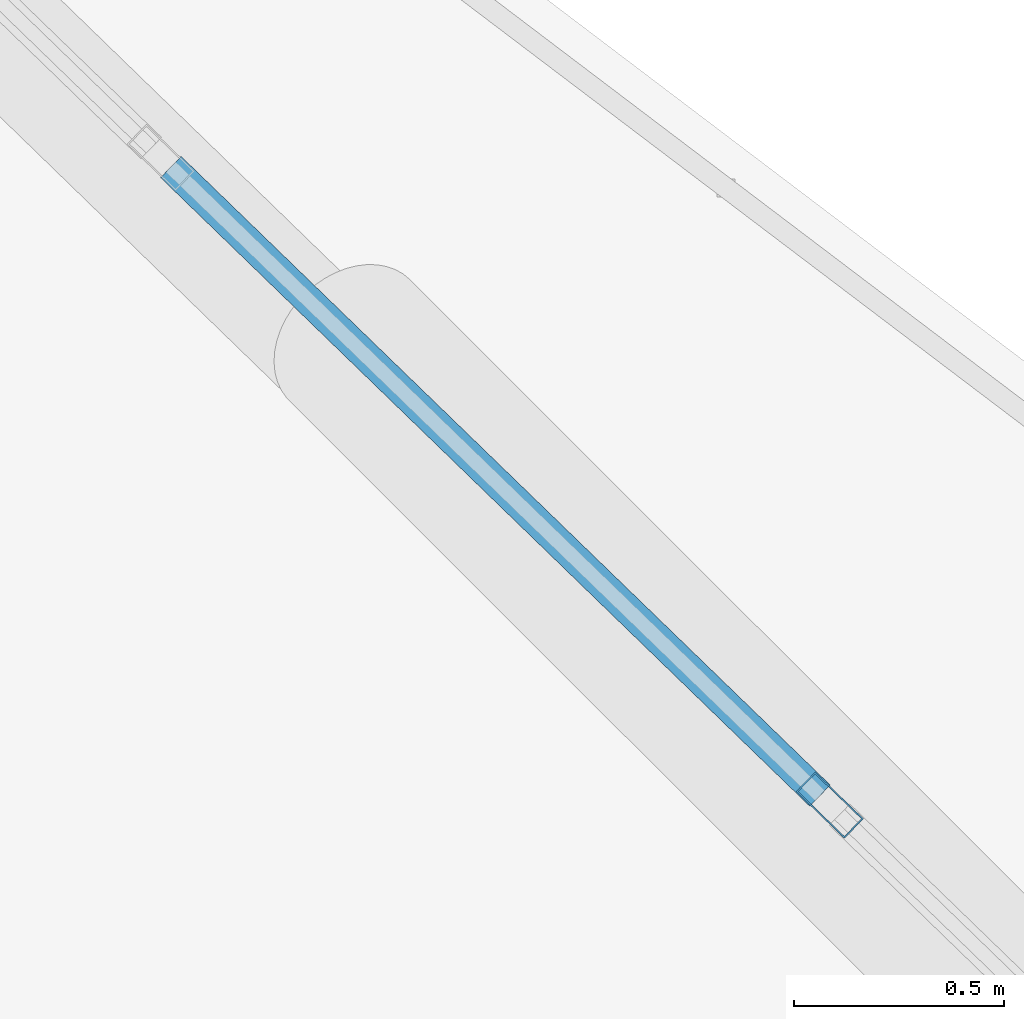
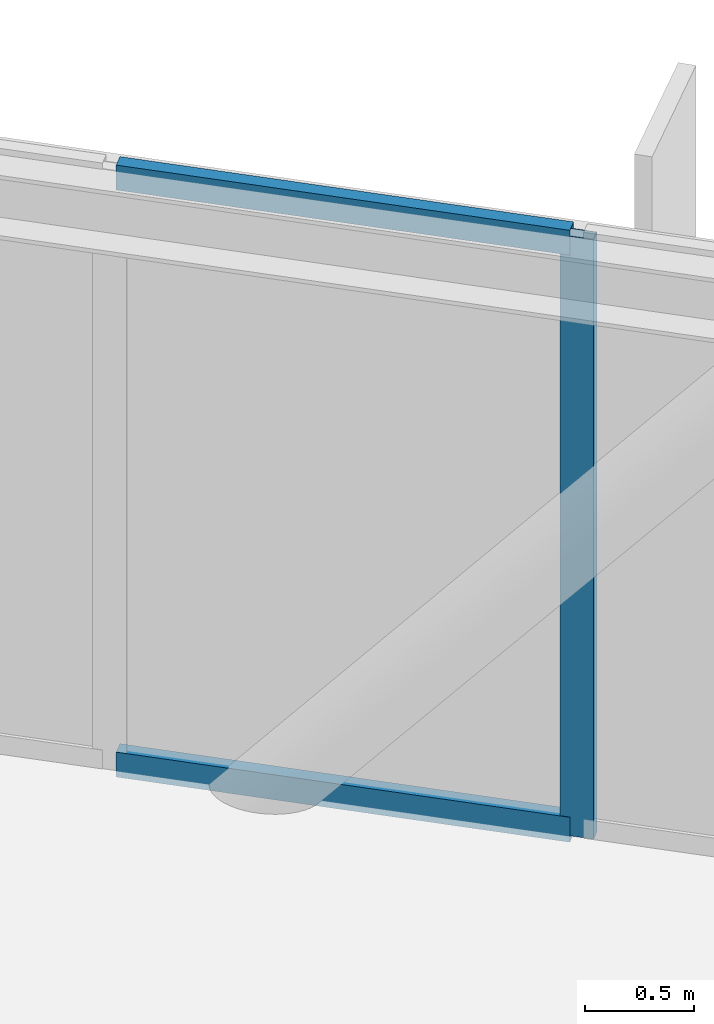
# One storey, part 15 of 27: 3 members, 1 element without a shape of its own.
"""IFC4 building model written with IfcOpenShell, lengths in metres."""

from ifc_helpers import new_model, si_unit, direction, frame, origin, origin_2d, place, context, subcontext, project, spatial, hollow_rectangle, extrude, material, layer, layer_set, material_profile, profile_set, type_object, element, aggregate, save


model = new_model("IFC4")

# Units and contexts
model_context = context("Model", 3, precision=1e-05, world=origin(), true_north=direction((0.0, 1.0)))
body_context = subcontext(model_context, "Body", "Model", "MODEL_VIEW")
ifc_project = project(units=[si_unit("LENGTHUNIT", "METRE"), si_unit("AREAUNIT", "SQUARE_METRE"), si_unit("VOLUMEUNIT", "CUBIC_METRE"), si_unit("PLANEANGLEUNIT", "RADIAN"), si_unit("MASSUNIT", "GRAM", prefix="KILO")], contexts=[model_context])

# Site, building, storey
site_placement = place(None, origin())
site = spatial("IfcSite", under=ifc_project, at=site_placement, CompositionType="ELEMENT")
building_placement = place(site_placement, origin())
building = spatial("IfcBuilding", under=site, at=building_placement, Name="Varnakorn Sky Granary", CompositionType="ELEMENT")
storey_placement = place(building_placement, frame((0.0, 0.0, 229.199951171875)))
storey = spatial("IfcBuildingStorey", under=building, at=storey_placement, Name="L58", CompositionType="ELEMENT", Elevation=229.199951171875)

# Curtain wall, members
ifc_material = material(Name="Anodised Bronze Aluminium Alloy 6063-T6", Category="aluminium")
ifc_layer = layer(ifc_material, 0.169921875, Name="Anodised Bronze Aluminium Alloy 6063-T6")
ifc_layer_set = layer_set([ifc_layer], Name="Anodised Bronze Aluminium Alloy 6063-T6")
curtain_wall_type = type_object("IfcCurtainWallType", Name="CW-LAB-1", PredefinedType="USERDEFINED", material=ifc_layer_set)
curtain_wall_placement = place(storey_placement, origin())
curtain_wall = element("IfcCurtainWall", 1, at=curtain_wall_placement, inside=storey, type_object=curtain_wall_type, Name="Unitised Curtain Wall CW5 CW-L58-B02", ObjectType="CURTAIN WALL", PredefinedType="USERDEFINED")
ifc_material_profile_1 = material_profile(ifc_material, hollow_rectangle(XDim=0.06494140625, YDim=0.159912109375, WallThickness=0.00341796875, at=origin_2d()), Name="ALU MULL 65x160")
ifc_profile_set_1 = profile_set([ifc_material_profile_1], Name="Anodised Bronze Aluminium Alloy 6063-T6")
member_type_1 = type_object("IfcMemberType", Name="CW-LAB-1-MULL", PredefinedType="MULLION", material=ifc_profile_set_1)
member_1_placement = place(storey_placement, frame((17.62158203125, 12.3671875, 0.0), z_axis=(0.0, 0.0, 1.0), x_axis=(0.695640153276, 0.718390407195, 0.0)))
member_1 = element("IfcMember", 2, at=member_1_placement, type_object=member_type_1, Name="CW5 mullion 3", PredefinedType="MULLION", context=body_context, shape_type="SweptSolid", body=[
    extrude(hollow_rectangle(XDim=0.06494140625, YDim=0.159912109375, WallThickness=0.00341796875, at=origin_2d()), origin(), (0.0, 0.0, 1.0), 3.360107421875),
])
ifc_material_profile_2 = material_profile(ifc_material, hollow_rectangle(XDim=0.070068359375, YDim=0.139892578125, WallThickness=0.00341796875, at=origin_2d()), Name="ALU TRAN 70x140")
ifc_profile_set_2 = profile_set([ifc_material_profile_2], Name="Anodised Bronze Aluminium Alloy 6063-T6")
member_type_2 = type_object("IfcMemberType", Name="CW-LAB-1-TRAN", PredefinedType="USERDEFINED", material=ifc_profile_set_2)
member_2_placement = place(storey_placement, frame((16.055908203125, 13.883544921875, 0.03515625), z_axis=(0.718385817719, -0.695644892815, 0.0), x_axis=(0.695644892815, 0.718385817719, 0.0)))
member_2 = element("IfcMember", 3, at=member_2_placement, type_object=member_type_2, Name="CW5 transom 2.1", ObjectType="TRANSOM", PredefinedType="USERDEFINED", context=body_context, shape_type="SweptSolid", body=[
    extrude(hollow_rectangle(XDim=0.070068359375, YDim=0.139892578125, WallThickness=0.00341796875, at=origin_2d()), origin(), (0.0, 0.0, 1.0), 2.147216796875),
])
member_3_placement = place(storey_placement, frame((16.055908203125, 13.883544921875, 3.324951171875), z_axis=(0.718385817719, -0.695644892815, 0.0), x_axis=(0.695644892815, 0.718385817719, 0.0)))
member_3 = element("IfcMember", 4, at=member_3_placement, type_object=member_type_2, Name="CW5 transom 2.2", ObjectType="TRANSOM", PredefinedType="USERDEFINED", context=body_context, shape_type="SweptSolid", body=[
    extrude(hollow_rectangle(XDim=0.070068359375, YDim=0.139892578125, WallThickness=0.00341796875, at=origin_2d()), origin(), (0.0, 0.0, 1.0), 2.147216796875),
])
aggregate(curtain_wall, [member_1, member_2, member_3])

save(model, "model.ifc")
